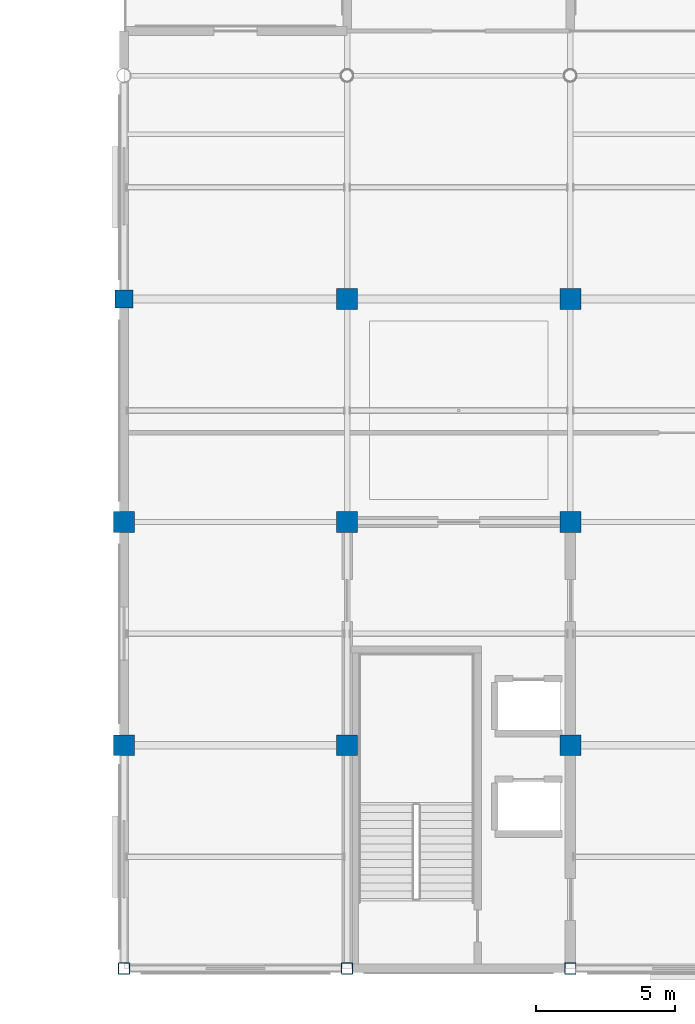
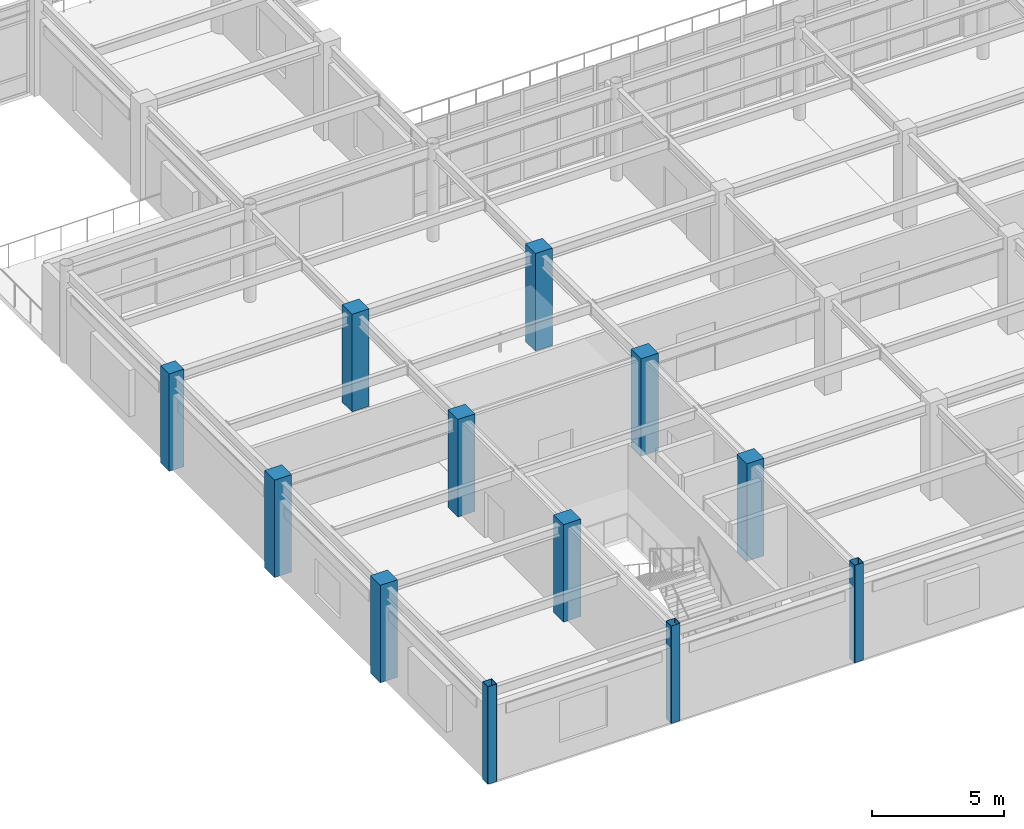
# One storey, part 1 of 93: 12 columns.
"""IFC4 building model written with IfcOpenShell, lengths in metres."""

from ifc_helpers import new_model, si_unit, direction, frame, origin, origin_2d, place, context, subcontext, project, spatial, rectangle, hollow_rectangle, extrude, material, material_profile, profile_set, type_object, element, save


model = new_model("IFC4")

# Units and contexts
model_context = context("Model", 3, precision=1e-05, world=origin(), true_north=direction((0.0, 1.0)))
body_context = subcontext(model_context, "Body", "Model", "MODEL_VIEW")
ifc_project = project(units=[si_unit("LENGTHUNIT", "METRE"), si_unit("AREAUNIT", "SQUARE_METRE"), si_unit("VOLUMEUNIT", "CUBIC_METRE"), si_unit("PLANEANGLEUNIT", "RADIAN"), si_unit("MASSUNIT", "GRAM", prefix="KILO")], contexts=[model_context])

# Site, building, storey
site_placement = place(None, origin())
site = spatial("IfcSite", under=ifc_project, at=site_placement, CompositionType="ELEMENT")
building_placement = place(site_placement, origin())
building = spatial("IfcBuilding", under=site, at=building_placement, Name="Solmirada Galleria", CompositionType="ELEMENT")
storey_placement = place(building_placement, frame((0.0, 0.0, 14.89990234375)))
storey = spatial("IfcBuildingStorey", under=building, at=storey_placement, Name="L03", CompositionType="ELEMENT", Elevation=14.89990234375)

# Columns
ifc_material_1 = material(Name="Steel S355 / ASTM A500 Grade C", Category="steel")
ifc_material_profile_1 = material_profile(ifc_material_1, hollow_rectangle(XDim=0.406005859375, YDim=0.406005859375, WallThickness=0.0146484375, InnerFilletRadius=0.0146484375, OuterFilletRadius=0.029296875, at=origin_2d()), Name="HSS16X16X5/8")
ifc_profile_set_1 = profile_set([ifc_material_profile_1], Name="Steel S355 / ASTM A500 Grade C")
column_type_1 = type_object("IfcColumnType", Name="COL-HSS16", PredefinedType="COLUMN", material=ifc_profile_set_1)
for number, where, z_axis, x_axis, name in (
    (1, (80.0, 0.0, 0.0), (0.0, 0.0, 1.0), (1.0, 0.0, 0.0), "Structural column L03-0349"),
    (2, (88.0, 0.0, 0.0), (0.0, 0.0, 1.0), (1.0, 0.0, 0.0), "Structural column L03-0466"),
    (3, (96.0, 0.0, 0.0), (0.0, 0.0, 1.0), (1.0, 0.0, 0.0), "Structural column L03-0588"),
):
    element("IfcColumn", number, at=place(storey_placement, frame(where, z_axis=z_axis, x_axis=x_axis)), inside=storey, type_object=column_type_1, Name=name, PredefinedType="COLUMN", context=body_context, shape_type="SweptSolid", body=[
        extrude(hollow_rectangle(XDim=0.406005859375, YDim=0.406005859375, WallThickness=0.0146484375, InnerFilletRadius=0.0146484375, OuterFilletRadius=0.029296875, at=origin_2d()), origin(), (0.0, 0.0, 1.0), 4.5),
    ])
ifc_material_2 = material(Name="Concrete C40/50", Category="concrete")
ifc_material_profile_2 = material_profile(ifc_material_2, rectangle(XDim=0.64990234375, YDim=0.64990234375, at=origin_2d()), Name="RC650X650")
ifc_profile_set_2 = profile_set([ifc_material_profile_2], Name="Concrete C40/50")
column_type_2 = type_object("IfcColumnType", Name="COL-RC650", PredefinedType="COLUMN", material=ifc_profile_set_2)
column_placement = place(storey_placement, frame((80.0, 24.0, 0.0), z_axis=(0.0, 0.0, 1.0), x_axis=(1.0, 0.0, 0.0)))
element("IfcColumn", 4, at=column_placement, inside=storey, type_object=column_type_2, Name="Structural column L03-0373", PredefinedType="COLUMN", context=body_context, shape_type="SweptSolid", body=[
    extrude(rectangle(XDim=0.64990234375, YDim=0.64990234375, at=origin_2d()), origin(), (0.0, 0.0, 1.0), 4.5),
])
ifc_material_profile_3 = material_profile(ifc_material_2, rectangle(XDim=0.75, YDim=0.75, at=origin_2d()), Name="RC750X750")
ifc_profile_set_3 = profile_set([ifc_material_profile_3], Name="Concrete C40/50")
column_type_3 = type_object("IfcColumnType", Name="COL-RC750", PredefinedType="COLUMN", material=ifc_profile_set_3)
for number, where, z_axis, x_axis, name in (
    (5, (80.0, 8.0, 0.0), (0.0, 0.0, 1.0), (1.0, 0.0, 0.0), "Structural column L03-0357"),
    (6, (80.0, 16.0, 0.0), (0.0, 0.0, 1.0), (1.0, 0.0, 0.0), "Structural column L03-0365"),
    (7, (88.0, 8.0, 0.0), (0.0, 0.0, 1.0), (1.0, 0.0, 0.0), "Structural column L03-0474"),
    (8, (88.0, 16.0, 0.0), (0.0, 0.0, 1.0), (1.0, 0.0, 0.0), "Structural column L03-0482"),
    (9, (88.0, 24.0, 0.0), (0.0, 0.0, 1.0), (1.0, 0.0, 0.0), "Structural column L03-0490"),
    (10, (96.0, 8.0, 0.0), (0.0, 0.0, 1.0), (1.0, 0.0, 0.0), "Structural column L03-0596"),
    (11, (96.0, 16.0, 0.0), (0.0, 0.0, 1.0), (1.0, 0.0, 0.0), "Structural column L03-0604"),
    (12, (96.0, 24.0, 0.0), (0.0, 0.0, 1.0), (1.0, 0.0, 0.0), "Structural column L03-0612"),
):
    element("IfcColumn", number, at=place(storey_placement, frame(where, z_axis=z_axis, x_axis=x_axis)), inside=storey, type_object=column_type_3, Name=name, PredefinedType="COLUMN", context=body_context, shape_type="SweptSolid", body=[
        extrude(rectangle(XDim=0.75, YDim=0.75, at=origin_2d()), origin(), (0.0, 0.0, 1.0), 4.5),
    ])

save(model, "model.ifc")
